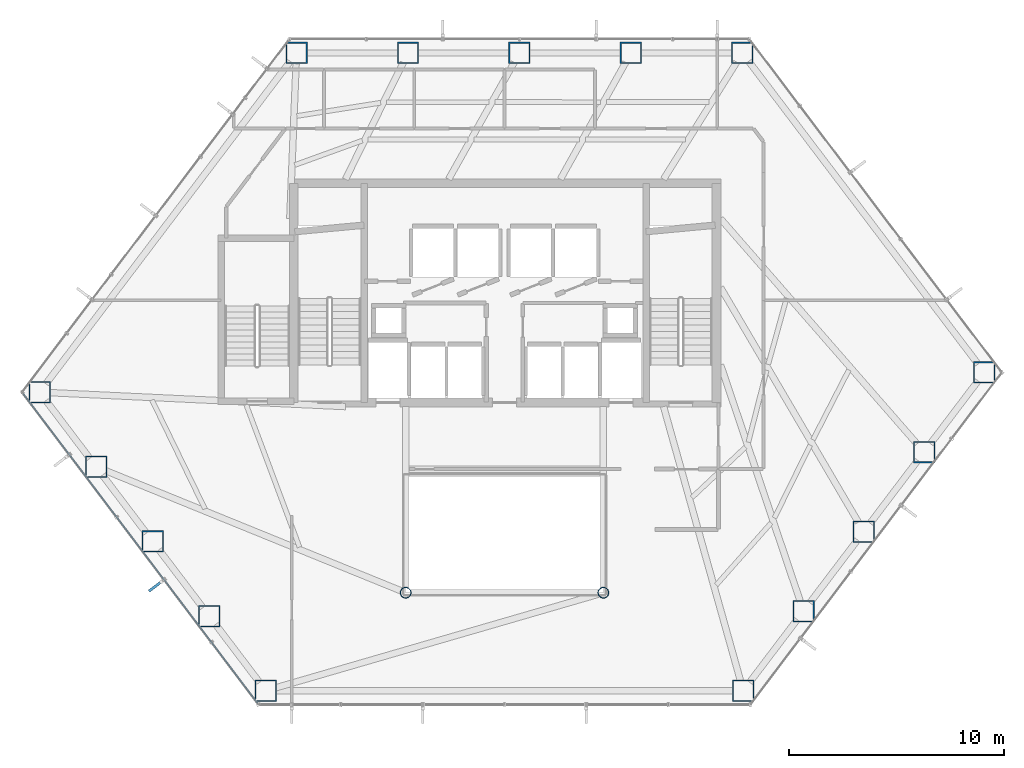
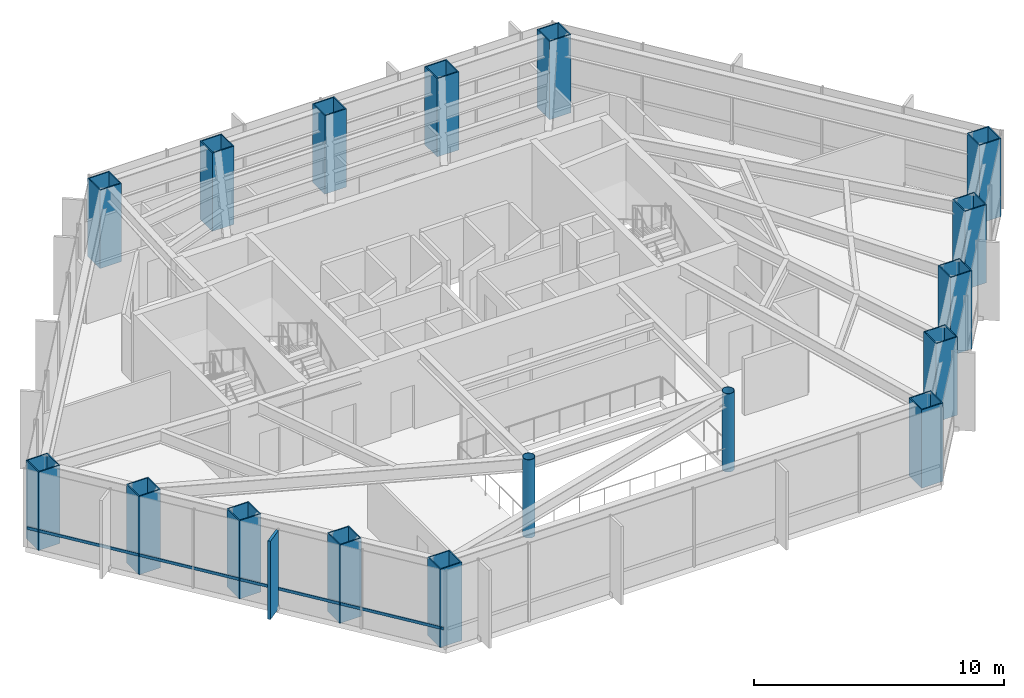
# One storey, part 1 of 26: 17 columns, 2 members, 1 element without a shape of its own.
"""IFC4 building model written with IfcOpenShell, lengths in metres."""

from ifc_helpers import new_model, si_unit, direction, frame, origin, origin_2d, place, context, subcontext, project, spatial, rectangle, hollow_rectangle, hollow_circle, extrude, material, layer, layer_set, material_profile, profile_set, type_object, element, aggregate, save


model = new_model("IFC4")

# Units and contexts
model_context = context("Model", 3, precision=1e-05, world=origin(), true_north=direction((0.0, 1.0)))
body_context = subcontext(model_context, "Body", "Model", "MODEL_VIEW")
ifc_project = project(units=[si_unit("LENGTHUNIT", "METRE"), si_unit("AREAUNIT", "SQUARE_METRE"), si_unit("VOLUMEUNIT", "CUBIC_METRE"), si_unit("PLANEANGLEUNIT", "RADIAN"), si_unit("MASSUNIT", "GRAM", prefix="KILO")], contexts=[model_context])

# Site, building, storey
site_placement = place(None, origin())
site = spatial("IfcSite", under=ifc_project, at=site_placement, CompositionType="ELEMENT")
building_placement = place(site_placement, origin())
building = spatial("IfcBuilding", under=site, at=building_placement, Name="Zarrinselat Tower", CompositionType="ELEMENT")
storey_placement = place(building_placement, frame((0.0, 0.0, 31.6201171875)))
storey = spatial("IfcBuildingStorey", under=building, at=storey_placement, Name="L07", CompositionType="ELEMENT", Elevation=31.6201171875)

# Columns
ifc_material_1 = material(Name="Steel S355J2", Category="steel")
ifc_material_profile_1 = material_profile(ifc_material_1, hollow_circle(Radius=0.25390625, WallThickness=0.02001953125, at=origin_2d()), Name="CHS 508x20")
ifc_profile_set_1 = profile_set([ifc_material_profile_1], Name="Steel S355J2")
column_type_1 = type_object("IfcColumnType", Name="COL-CHS508", PredefinedType="COLUMN", material=ifc_profile_set_1)
for number, where, z_axis, x_axis, name in (
    (1, (33.800048828125, 24.39990234375, 0.0), (0.0, 0.0, 1.0), (1.0, 0.0, 0.0), "L07 Atrium Corner Column 1"),
    (2, (43.0, 24.39990234375, 0.0), (0.0, 0.0, 1.0), (1.0, 0.0, 0.0), "L07 Atrium Corner Column 2"),
):
    element("IfcColumn", number, at=place(storey_placement, frame(where, z_axis=z_axis, x_axis=x_axis)), inside=storey, type_object=column_type_1, Name=name, PredefinedType="COLUMN", context=body_context, shape_type="SweptSolid", body=[
        extrude(hollow_circle(Radius=0.25390625, WallThickness=0.02001953125, at=origin_2d()), origin(), (0.0, 0.0, 1.0), 3.81982421875),
    ])
ifc_material_2 = material(Name="Steel S460M", Category="steel")
ifc_material_profile_2 = material_profile(ifc_material_2, hollow_rectangle(XDim=1.0, YDim=1.0, WallThickness=0.050048828125, at=origin_2d()), Name="SHS 1000x1000x50")
ifc_profile_set_2 = profile_set([ifc_material_profile_2], Name="Steel S460M")
column_type_2 = type_object("IfcColumnType", Name="COL-SHS1000", PredefinedType="COLUMN", material=ifc_profile_set_2)
for number, where, z_axis, x_axis, name in (
    (3, (49.46630859375, 49.510986328125, 0.0), (0.0, 0.0, 1.0), (1.0, 0.0, 0.0), "L07 Framed-Tube Column T01"),
    (4, (44.280517578125, 49.510986328125, 0.0), (0.0, 0.0, 1.0), (1.0, 0.0, 0.0), "L07 Framed-Tube Column T02"),
    (5, (39.094482421875, 49.510986328125, 0.0), (0.0, 0.0, 1.0), (1.0, 0.0, 0.0), "L07 Framed-Tube Column T03"),
    (6, (33.908447265625, 49.510986328125, 0.0), (0.0, 0.0, 1.0), (1.0, 0.0, 0.0), "L07 Framed-Tube Column T04"),
    (7, (28.722412109375, 49.510986328125, 0.0), (0.0, 0.0, 1.0), (1.0, 0.0, 0.0), "L07 Framed-Tube Column T05"),
    (8, (16.768310546875, 33.7314453125, 0.0), (0.0, 0.0, 1.0), (1.0, 0.0, 0.0), "L07 Framed-Tube Column T06"),
    (9, (19.399169921875, 30.2587890625, 0.0), (0.0, 0.0, 1.0), (1.0, 0.0, 0.0), "L07 Framed-Tube Column T07"),
    (10, (22.02978515625, 26.785888671875, 0.0), (0.0, 0.0, 1.0), (1.0, 0.0, 0.0), "L07 Framed-Tube Column T08"),
    (11, (24.660888671875, 23.313232421875, 0.0), (0.0, 0.0, 1.0), (1.0, 0.0, 0.0), "L07 Framed-Tube Column T09"),
    (12, (27.291748046875, 19.84033203125, 0.0), (0.0, 0.0, 1.0), (1.0, 0.0, 0.0), "L07 Framed-Tube Column T10"),
    (13, (49.50830078125, 19.84033203125, 0.0), (0.0, 0.0, 1.0), (1.0, 0.0, 0.0), "L07 Framed-Tube Column T11"),
    (14, (52.312744140625, 23.542236328125, 0.0), (0.0, 0.0, 1.0), (1.0, 0.0, 0.0), "L07 Framed-Tube Column T12"),
    (15, (55.1171875, 27.244384765625, 0.0), (0.0, 0.0, 1.0), (1.0, 0.0, 0.0), "L07 Framed-Tube Column T13"),
    (16, (57.921630859375, 30.9462890625, 0.0), (0.0, 0.0, 1.0), (1.0, 0.0, 0.0), "L07 Framed-Tube Column T14"),
    (17, (60.726318359375, 34.648193359375, 0.0), (0.0, 0.0, 1.0), (1.0, 0.0, 0.0), "L07 Framed-Tube Column T15"),
):
    element("IfcColumn", number, at=place(storey_placement, frame(where, z_axis=z_axis, x_axis=x_axis)), inside=storey, type_object=column_type_2, Name=name, PredefinedType="COLUMN", context=body_context, shape_type="SweptSolid", body=[
        extrude(hollow_rectangle(XDim=1.0, YDim=1.0, WallThickness=0.050048828125, at=origin_2d()), origin(), (0.0, 0.0, 1.0), 3.81982421875),
    ])

# Curtain wall, members
ifc_material_3 = material(Name="Extruded Aluminium Alloy EN AW-6063 T6", Category="aluminium")
ifc_layer = layer(ifc_material_3, 0.18505859375)
ifc_layer_set = layer_set([ifc_layer], Name="Extruded Aluminium Alloy EN AW-6063 T6")
curtain_wall_type = type_object("IfcCurtainWallType", Name="CWS-OFF", PredefinedType="NOTDEFINED", material=ifc_layer_set)
curtain_wall_placement = place(storey_placement, origin())
curtain_wall = element("IfcCurtainWall", 18, at=curtain_wall_placement, inside=storey, type_object=curtain_wall_type, Name="L07 Unitised Curtain Wall CW-L07-E03", PredefinedType="NOTDEFINED")
ifc_material_4 = material(Name="Extruded Aluminium Alloy EN AW-6063 T6", Category="aluminium")
ifc_material_profile_3 = material_profile(ifc_material_4, hollow_rectangle(XDim=0.06005859375, YDim=0.139892578125, WallThickness=0.00390625, at=origin_2d()), Name="RHS 140x60x4")
ifc_profile_set_3 = profile_set([ifc_material_profile_3], Name="Extruded Aluminium Alloy EN AW-6063 T6")
member_type_1 = type_object("IfcMemberType", Name="MEM-CW-TRN", PredefinedType="USERDEFINED", material=ifc_profile_set_3)
member_1_placement = place(storey_placement, frame((16.007080078125, 33.659912109375, 0.949951171875), z_axis=(0.603853264047, -0.797095499611, 0.0), x_axis=(0.797095499611, 0.603853264047, 0.0)))
member_1 = element("IfcMember", 19, at=member_1_placement, type_object=member_type_1, Name="CW-L07-E03 Transom 1", ObjectType="TRANSOM", PredefinedType="USERDEFINED", context=body_context, shape_type="SweptSolid", body=[
    extrude(hollow_rectangle(XDim=0.06005859375, YDim=0.139892578125, WallThickness=0.00390625, at=origin_2d()), origin(), (0.0, 0.0, 1.0), 18.062744140625),
])
ifc_material_5 = material(Name="Honed Cream Travertine Stone", Category="masonry")
ifc_material_profile_4 = material_profile(ifc_material_5, rectangle(XDim=0.1201171875, YDim=0.85009765625, at=origin_2d()), Name="FIN 850x120")
ifc_profile_set_4 = profile_set([ifc_material_profile_4], Name="Honed Cream Travertine Stone")
member_type_2 = type_object("IfcMemberType", Name="MEM-STONE-FIN", PredefinedType="USERDEFINED", material=ifc_profile_set_4)
member_2_placement = place(storey_placement, frame((22.195556640625, 24.72900390625, 0.0), z_axis=(0.0, 0.0, 1.0), x_axis=(-0.603858215687, 0.797091748388, 0.0)))
member_2 = element("IfcMember", 20, at=member_2_placement, type_object=member_type_2, Name="L07 Stone Shading Fin CW-L07-E03-03", ObjectType="FIN", PredefinedType="USERDEFINED", context=body_context, shape_type="SweptSolid", body=[
    extrude(rectangle(XDim=0.1201171875, YDim=0.85009765625, at=origin_2d()), origin(), (0.0, 0.0, 1.0), 3.81982421875),
])
aggregate(curtain_wall, [member_2, member_1])

save(model, "model.ifc")
